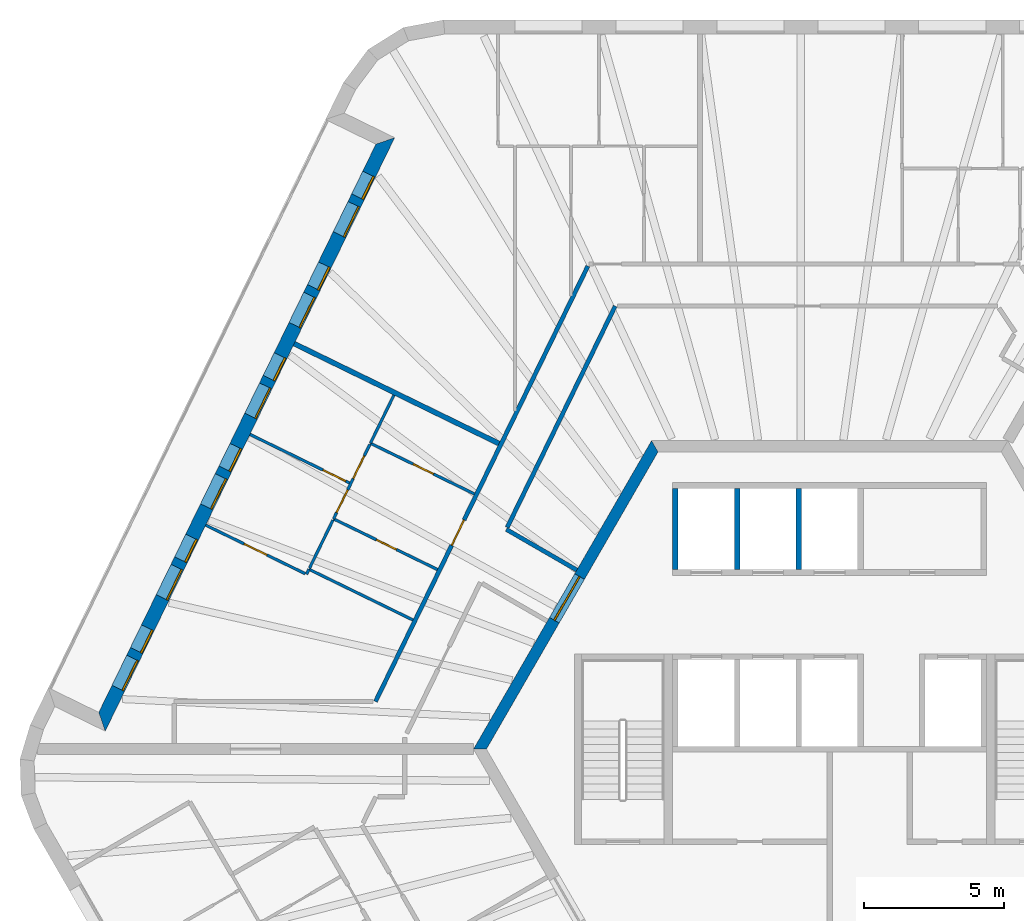
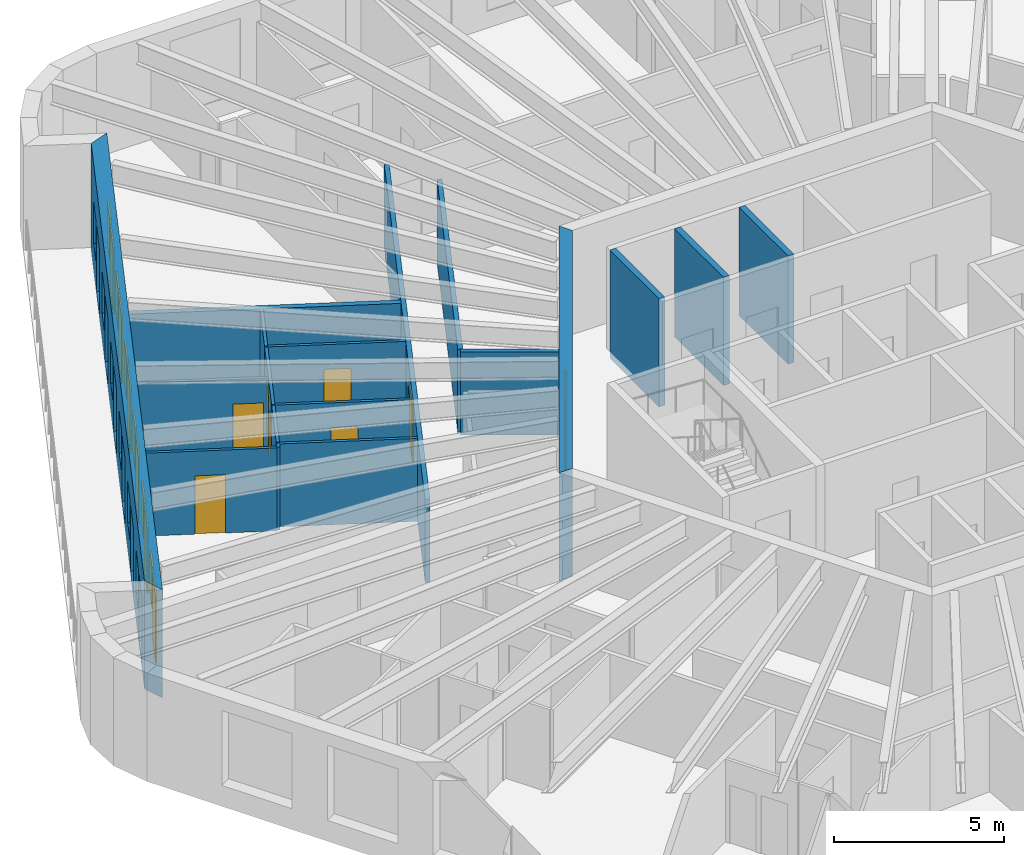
# One storey, part 8 of 12: 18 walls, 14 doors, 6 windows, 20 openings.
"""IFC4 building model written with IfcOpenShell, lengths in metres."""

from ifc_helpers import new_model, si_unit, direction, frame, frame_2d, origin, place, context, subcontext, project, spatial, polyline, rectangle, outline, extrude, material, layer, layer_set, type_object, element, fill, save


model = new_model("IFC4")

# Units and contexts
model_context = context("Model", 3, precision=1e-05, world=origin(), true_north=direction((0.0, 1.0)))
body_context = subcontext(model_context, "Body", "Model", "MODEL_VIEW")
ifc_project = project(units=[si_unit("LENGTHUNIT", "METRE"), si_unit("AREAUNIT", "SQUARE_METRE"), si_unit("VOLUMEUNIT", "CUBIC_METRE"), si_unit("PLANEANGLEUNIT", "RADIAN"), si_unit("MASSUNIT", "GRAM", prefix="KILO")], contexts=[model_context])

# Site, building, storey
site_placement = place(None, origin())
site = spatial("IfcSite", under=ifc_project, at=site_placement, CompositionType="ELEMENT")
building_placement = place(site_placement, origin())
building = spatial("IfcBuilding", under=site, at=building_placement, Name="Tarnside Tower", CompositionType="ELEMENT")
storey_placement = place(building_placement, frame((0.0, 0.0, 287.39990234375)))
storey = spatial("IfcBuildingStorey", under=building, at=storey_placement, Name="L69", CompositionType="ELEMENT", Elevation=287.39990234375)

# Wall
ifc_material_1 = material(Name="Gypsum board partition on steel studs", Category="steel")
ifc_layer_1 = layer(ifc_material_1, 0.10009765625)
ifc_layer_set_1 = layer_set([ifc_layer_1], Name="Bathroom wall 100")
wall_type_1 = type_object("IfcWallType", Name="Bathroom wall 100", PredefinedType="PARTITIONING", material=ifc_layer_set_1)
wall_1_placement = place(storey_placement, frame((-14.860107421875, 4.60498046875, 0.0), z_axis=(0.0, 0.0, 1.0), x_axis=(-0.898787215731, 0.438385151252, 0.0)))
element("IfcWall", 1, at=wall_1_placement, inside=storey, type_object=wall_type_1, Name="Bathroom wall 22109", PredefinedType="PARTITIONING", context=body_context, shape_type="SweptSolid", body=[
    extrude(rectangle(XDim=4.125, YDim=0.10009765625, at=frame_2d((2.0625, 0.0))), origin(), (0.0, 0.0, 1.0), 2.98779296875),
])

# Wall, opening, door
wall_2_placement = place(storey_placement, frame((-12.66845703125, 9.09912109375, 0.0), z_axis=(0.0, 0.0, 1.0), x_axis=(-0.898810534939, 0.438337338454, 0.0)))
wall_2 = element("IfcWall", 2, at=wall_2_placement, inside=storey, type_object=wall_type_1, Name="Bathroom wall 22110", PredefinedType="PARTITIONING", context=body_context, shape_type="SweptSolid", body=[
    extrude(rectangle(XDim=4.125, YDim=0.10009765625, at=frame_2d((2.0625, 0.0))), origin(), (0.0, 0.0, 1.0), 2.98779296875),
])
opening_1_placement = place(wall_2_placement, frame((1.625, 0.0, 0.0)))
opening_1 = element("IfcOpeningElement", 3, at=opening_1_placement, cuts=wall_2, Name="Opening D-B1", PredefinedType="OPENING", context=body_context, shape_type="SweptSolid", body=[
    extrude(rectangle(XDim=0.800048828125, YDim=2.10009765625, at=frame_2d((0.39990234375, 1.050048828125))), frame((0.0, 0.06005859375, 0.0), z_axis=(0.0, -1.0, 0.0), x_axis=(1.0, 0.0, 0.0)), (0.0, 0.0, 1.0), 0.1201171875),
])
ifc_material_2 = material(Name="Timber door leaf", Category="wood")
door_type_1 = type_object("IfcDoorType", Name="Bathroom door 800", OperationType="NOTDEFINED", PredefinedType="DOOR", material=ifc_material_2)
door_1_placement = place(opening_1_placement, origin())
door_1 = element("IfcDoor", 4, at=door_1_placement, inside=storey, type_object=door_type_1, Name="Bathroom door 22022", OperationType="SINGLE_SWING_RIGHT", OverallHeight=2.10009765625, OverallWidth=0.800048828125, PredefinedType="DOOR", context=body_context, shape_type="SweptSolid", body=[
    extrude(rectangle(XDim=0.800048828125, YDim=2.10009765625, at=frame_2d((0.39990234375, 1.050048828125))), frame((0.0, 0.02490234375, 0.0), z_axis=(0.0, -1.0, 0.0), x_axis=(1.0, 0.0, 0.0)), (0.0, 0.0, 1.0), 0.050048828125),
])
fill(opening_1, door_1)

wall_3_placement = place(storey_placement, frame((-17.69091796875, 8.2109375, 0.0), z_axis=(0.0, 0.0, 1.0), x_axis=(0.898787215731, -0.438385151252, 0.0)))
wall_3 = element("IfcWall", 5, at=wall_3_placement, inside=storey, type_object=wall_type_1, Name="Bathroom wall 22113", PredefinedType="PARTITIONING", context=body_context, shape_type="SweptSolid", body=[
    extrude(rectangle(XDim=4.125, YDim=0.10009765625, at=frame_2d((2.0625, 0.0))), origin(), (0.0, 0.0, 1.0), 2.98779296875),
])
opening_2_placement = place(wall_3_placement, frame((1.699951171875, 0.0, 0.0)))
opening_2 = element("IfcOpeningElement", 6, at=opening_2_placement, cuts=wall_3, Name="Opening D-B1", PredefinedType="OPENING", context=body_context, shape_type="SweptSolid", body=[
    extrude(rectangle(XDim=0.800048828125, YDim=2.10009765625, at=frame_2d((0.39990234375, 1.050048828125))), frame((0.0, 0.06005859375, 0.0), z_axis=(0.0, -1.0, 0.0), x_axis=(1.0, 0.0, 0.0)), (0.0, 0.0, 1.0), 0.1201171875),
])
door_2_placement = place(opening_2_placement, origin())
door_2 = element("IfcDoor", 7, at=door_2_placement, inside=storey, type_object=door_type_1, Name="Bathroom door 22029", OperationType="SINGLE_SWING_LEFT", OverallHeight=2.10009765625, OverallWidth=0.800048828125, PredefinedType="DOOR", context=body_context, shape_type="SweptSolid", body=[
    extrude(rectangle(XDim=0.800048828125, YDim=2.10009765625, at=frame_2d((0.39990234375, 1.050048828125))), frame((0.0, 0.02490234375, 0.0), z_axis=(0.0, -1.0, 0.0), x_axis=(1.0, 0.0, 0.0)), (0.0, 0.0, 1.0), 0.050048828125),
])
fill(opening_2, door_2)

# Walls
wall_4_placement = place(storey_placement, frame((-15.53857421875, 12.6240234375, 0.0), z_axis=(0.0, 0.0, 1.0), x_axis=(-0.438355705964, -0.898801577128, 0.0)))
element("IfcWall", 8, at=wall_4_placement, inside=storey, type_object=wall_type_1, Name="Bathroom wall 22114", PredefinedType="PARTITIONING", context=body_context, shape_type="SweptSolid", body=[
    extrude(rectangle(XDim=1.912109375, YDim=0.10009765625, at=frame_2d((0.9560546875, 0.0))), origin(), (0.0, 0.0, 1.0), 2.98779296875),
])
wall_5_placement = place(storey_placement, frame((-18.5458984375, 6.458251953125, 0.0), z_axis=(0.0, 0.0, 1.0), x_axis=(0.43840337997, 0.898778324411, 0.0)))
element("IfcWall", 9, at=wall_5_placement, inside=storey, type_object=wall_type_1, Name="Bathroom wall 22116", PredefinedType="PARTITIONING", context=body_context, shape_type="SweptSolid", body=[
    extrude(rectangle(XDim=1.900146484375, YDim=0.10009765625, at=frame_2d((0.9501953125, 0.0))), origin(), (0.0, 0.0, 1.0), 2.98779296875),
])

# Wall, opening, door
ifc_material_3 = material(Name="Concrete C60/75", Category="concrete")
ifc_layer_2 = layer(ifc_material_3, 0.39990234375)
ifc_layer_set_2 = layer_set([ifc_layer_2], Name="Core wall Z3 400 C60/75")
wall_type_2 = type_object("IfcWallType", Name="Core wall Z3 400 C60/75", PredefinedType="SHEAR", material=ifc_layer_set_2)
wall_6_placement = place(storey_placement, frame((-6.2353515625, 10.800048828125, -0.14990234375), z_axis=(0.0, 0.0, 1.0), x_axis=(-0.499996419489, -0.866027470984, 0.0)))
wall_6 = element("IfcWall", 10, at=wall_6_placement, inside=storey, type_object=wall_type_2, Name="L69 core wall face 2", PredefinedType="SHEAR", context=body_context, shape_type="SweptSolid", body=[
    extrude(outline(polyline([(-0.115478515625, -0.199951171875), (12.586181640625, -0.199951171875), (12.355224609375, 0.199951171875), (0.115478515625, 0.199951171875), (-0.115478515625, -0.199951171875)])), origin(), (0.0, 0.0, 1.0), 3.89990234375),
])
opening_3_placement = place(wall_6_placement, frame((5.3642578125, 0.0, 0.14990234375)))
opening_3 = element("IfcOpeningElement", 11, at=opening_3_placement, cuts=wall_6, Name="Opening CD-LOB", PredefinedType="OPENING", context=body_context, shape_type="SweptSolid", body=[
    extrude(rectangle(XDim=1.800048828125, YDim=2.39990234375, at=frame_2d((0.89990234375, 1.199951171875))), frame((0.0, 0.2099609375, 0.0), z_axis=(0.0, -1.0, 0.0), x_axis=(1.0, 0.0, 0.0)), (0.0, 0.0, 1.0), 0.419921875),
])
ifc_material_4 = material(Name="Steel fire door", Category="steel")
door_type_2 = type_object("IfcDoorType", Name="Lobby double door FD30S 1800x2400", OperationType="NOTDEFINED", PredefinedType="DOOR", material=ifc_material_4)
door_3_placement = place(opening_3_placement, origin())
door_3 = element("IfcDoor", 12, at=door_3_placement, inside=storey, type_object=door_type_2, Name="L69 core door P1", OperationType="DOUBLE_DOOR_SINGLE_SWING", OverallHeight=2.39990234375, OverallWidth=1.800048828125, PredefinedType="DOOR", context=body_context, shape_type="SweptSolid", body=[
    extrude(rectangle(XDim=1.800048828125, YDim=2.39990234375, at=frame_2d((0.89990234375, 1.199951171875))), frame((0.0, 0.02490234375, 0.0), z_axis=(0.0, -1.0, 0.0), x_axis=(1.0, 0.0, 0.0)), (0.0, 0.0, 1.0), 0.050048828125),
])
fill(opening_3, door_3)

ifc_layer_3 = layer(ifc_material_1, 0.14990234375)
ifc_layer_set_3 = layer_set([ifc_layer_3], Name="Corridor wall 150 EI 60")
wall_type_3 = type_object("IfcWallType", Name="Corridor wall 150 EI 60", PredefinedType="PARTITIONING", material=ifc_layer_set_3)
wall_7_placement = place(storey_placement, frame((-8.62158203125, 17.22509765625, 0.0), z_axis=(0.0, 0.0, 1.0), x_axis=(-0.438366544921, -0.898796290765, 0.0)))
wall_7 = element("IfcWall", 13, at=wall_7_placement, inside=storey, type_object=wall_type_3, Name="Corridor wall 22009", PredefinedType="PARTITIONING", context=body_context, shape_type="SweptSolid", body=[
    extrude(rectangle(XDim=17.273193359375, YDim=0.14990234375, at=frame_2d((8.63671875, 0.0))), origin(), (0.0, 0.0, 1.0), 2.98779296875),
])
opening_4_placement = place(wall_7_placement, frame((10.07763671875, 0.0, 0.0)))
opening_4 = element("IfcOpeningElement", 14, at=opening_4_placement, cuts=wall_7, Name="Opening D-E1", PredefinedType="OPENING", context=body_context, shape_type="SweptSolid", body=[
    extrude(rectangle(XDim=1.0, YDim=2.10009765625, at=frame_2d((0.5, 1.050048828125))), frame((0.0, 0.0849609375, 0.0), z_axis=(0.0, -1.0, 0.0), x_axis=(1.0, 0.0, 0.0)), (0.0, 0.0, 1.0), 0.169921875),
])
door_type_3 = type_object("IfcDoorType", Name="Unit entrance door 1000 FD30S", OperationType="NOTDEFINED", PredefinedType="DOOR", material=ifc_material_2)
door_4_placement = place(opening_4_placement, origin())
door_4 = element("IfcDoor", 15, at=door_4_placement, inside=storey, type_object=door_type_3, Name="Unit door 22021", OperationType="SINGLE_SWING_LEFT", OverallHeight=2.10009765625, OverallWidth=1.0, PredefinedType="DOOR", context=body_context, shape_type="SweptSolid", body=[
    extrude(rectangle(XDim=1.0, YDim=2.10009765625, at=frame_2d((0.5, 1.050048828125))), frame((0.0, 0.02490234375, 0.0), z_axis=(0.0, -1.0, 0.0), x_axis=(1.0, 0.0, 0.0)), (0.0, 0.0, 1.0), 0.050048828125),
])
fill(opening_4, door_4)

# Walls
wall_8_placement = place(storey_placement, frame((-9.015625, 6.38427734375, 0.0), z_axis=(0.0, 0.0, 1.0), x_axis=(-0.866010648346, 0.500025556299, 0.0)))
element("IfcWall", 16, at=wall_8_placement, inside=storey, type_object=wall_type_3, Name="Corridor wall 22020", PredefinedType="PARTITIONING", context=body_context, shape_type="SweptSolid", body=[
    extrude(rectangle(XDim=2.905029296875, YDim=0.14990234375, at=frame_2d((1.45263671875, 0.0))), origin(), (0.0, 0.0, 1.0), 2.98779296875),
])
wall_9_placement = place(storey_placement, frame((-11.49853515625, 7.904541015625, 0.0), z_axis=(0.0, 0.0, 1.0), x_axis=(0.438365041944, 0.898797023805, 0.0)))
element("IfcWall", 17, at=wall_9_placement, inside=storey, type_object=wall_type_3, Name="Corridor wall 22021", PredefinedType="PARTITIONING", context=body_context, shape_type="SweptSolid", body=[
    extrude(rectangle(XDim=8.784423828125, YDim=0.14990234375, at=frame_2d((4.39208984375, 0.0))), origin(), (0.0, 0.0, 1.0), 2.98779296875),
])
ifc_layer_4 = layer(ifc_material_1, 0.179931640625)
ifc_layer_set_4 = layer_set([ifc_layer_4], Name="Demising wall 180 EI 60")
wall_type_4 = type_object("IfcWallType", Name="Demising wall 180 EI 60", PredefinedType="PARTITIONING", material=ifc_layer_set_4)
wall_10_placement = place(storey_placement, frame((-19.09423828125, 14.45849609375, 0.0), z_axis=(0.0, 0.0, 1.0), x_axis=(0.898794723364, -0.438369758597, 0.0)))
element("IfcWall", 18, at=wall_10_placement, inside=storey, type_object=wall_type_4, Name="Demising wall 22098", PredefinedType="PARTITIONING", context=body_context, shape_type="SweptSolid", body=[
    extrude(rectangle(XDim=8.125, YDim=0.179931640625, at=frame_2d((4.0625, 0.0))), origin(), (0.0, 0.0, 1.0), 2.98779296875),
])
ifc_material_5 = material(Name="Concrete C40/50", Category="concrete")
ifc_layer_5 = layer(ifc_material_5, 0.199951171875)
ifc_layer_set_5 = layer_set([ifc_layer_5], Name="Lift shaft wall 200 C40/50")
wall_type_5 = type_object("IfcWallType", Name="Lift shaft wall 200 C40/50", PredefinedType="SHEAR", material=ifc_layer_set_5)
for number, where, z_axis, x_axis, name in (
    (19, (-5.5, 6.39990234375, -0.25), (0.0, 0.0, 1.0), (0.0, 1.0, 0.0), "L69 lift shaft partition R11"),
    (20, (-3.300048828125, 6.39990234375, -0.25), (0.0, 0.0, 1.0), (0.0, 1.0, 0.0), "L69 lift shaft partition R12"),
    (21, (-1.10009765625, 6.39990234375, -0.25), (0.0, 0.0, 1.0), (0.0, 1.0, 0.0), "L69 lift shaft partition R13"),
):
    element("IfcWall", number, at=place(storey_placement, frame(where, z_axis=z_axis, x_axis=x_axis)), inside=storey, type_object=wall_type_5, Name=name, PredefinedType="SHEAR", context=body_context, shape_type="SweptSolid", body=[
        extrude(rectangle(XDim=2.900146484375, YDim=0.199951171875, at=frame_2d((1.4501953125, 0.0))), origin(), (0.0, 0.0, 1.0), 3.900146484375),
    ])

# Wall, openings, doors, windows
ifc_material_6 = material(Name="Dark zinc cladding")
ifc_layer_6 = layer(ifc_material_6, 0.10205078125)
ifc_material_7 = material(Name="Concrete C60/75 precast", Category="concrete")
ifc_layer_7 = layer(ifc_material_7, 0.298095703125)
ifc_material_8 = material(Name="Mineral wool insulation")
ifc_layer_8 = layer(ifc_material_8, 0.10009765625)
ifc_layer_set_6 = layer_set([ifc_layer_6, ifc_layer_7, ifc_layer_8], Name="Loggia wall 500 zinc faced")
wall_type_6 = type_object("IfcWallType", Name="Loggia wall 500 zinc faced", PredefinedType="SOLIDWALL", material=ifc_layer_set_6)
wall_11_placement = place(storey_placement, frame((-15.845947265625, 21.6884765625, -0.14990234375), z_axis=(0.0, 0.0, 1.0), x_axis=(-0.438377502627, -0.898790946322, 0.0)))
wall_11 = element("IfcWall", 22, at=wall_11_placement, inside=storey, type_object=wall_type_6, Name="Tube wall L69 F2 back 06", PredefinedType="SOLIDWALL", context=body_context, shape_type="SweptSolid", body=[
    extrude(outline(polyline([(0.25, -0.25), (22.794677734375, -0.25), (23.294677734375, 0.25), (-0.25, 0.25), (0.25, -0.25)])), origin(), (0.0, 0.0, 1.0), 3.89990234375),
])
opening_5_placement = place(wall_11_placement, frame((1.322509765625, 0.0, 1.050048828125)))
opening_5 = element("IfcOpeningElement", 23, at=opening_5_placement, cuts=wall_11, Name="Opening WL500", PredefinedType="OPENING", context=body_context, shape_type="SweptSolid", body=[
    extrude(rectangle(XDim=0.89990234375, YDim=1.5, at=frame_2d((0.449951171875, 0.75))), frame((0.0, 0.260009765625, 0.0), z_axis=(0.0, -1.0, 0.0), x_axis=(1.0, 0.0, 0.0)), (0.0, 0.0, 1.0), 0.52001953125),
])
opening_6_placement = place(wall_11_placement, frame((2.5224609375, 0.0, 0.14990234375)))
opening_6 = element("IfcOpeningElement", 24, at=opening_6_placement, cuts=wall_11, Name="Opening DB500", PredefinedType="OPENING", context=body_context, shape_type="SweptSolid", body=[
    extrude(rectangle(XDim=1.199951171875, YDim=2.39990234375, at=frame_2d((0.60009765625, 1.199951171875))), frame((0.0, 0.260009765625, 0.0), z_axis=(0.0, -1.0, 0.0), x_axis=(1.0, 0.0, 0.0)), (0.0, 0.0, 1.0), 0.52001953125),
])
opening_7_placement = place(wall_11_placement, frame((4.92236328125, 0.0, 1.050048828125)))
opening_7 = element("IfcOpeningElement", 25, at=opening_7_placement, cuts=wall_11, Name="Opening WL500", PredefinedType="OPENING", context=body_context, shape_type="SweptSolid", body=[
    extrude(rectangle(XDim=0.89990234375, YDim=1.5, at=frame_2d((0.449951171875, 0.75))), frame((0.0, 0.260009765625, 0.0), z_axis=(0.0, -1.0, 0.0), x_axis=(1.0, 0.0, 0.0)), (0.0, 0.0, 1.0), 0.52001953125),
])
opening_8_placement = place(wall_11_placement, frame((6.122314453125, 0.0, 0.14990234375)))
opening_8 = element("IfcOpeningElement", 26, at=opening_8_placement, cuts=wall_11, Name="Opening DB500", PredefinedType="OPENING", context=body_context, shape_type="SweptSolid", body=[
    extrude(rectangle(XDim=1.199951171875, YDim=2.39990234375, at=frame_2d((0.60009765625, 1.199951171875))), frame((0.0, 0.260009765625, 0.0), z_axis=(0.0, -1.0, 0.0), x_axis=(1.0, 0.0, 0.0)), (0.0, 0.0, 1.0), 0.52001953125),
])
opening_9_placement = place(wall_11_placement, frame((8.5224609375, 0.0, 1.050048828125)))
opening_9 = element("IfcOpeningElement", 27, at=opening_9_placement, cuts=wall_11, Name="Opening WL500", PredefinedType="OPENING", context=body_context, shape_type="SweptSolid", body=[
    extrude(rectangle(XDim=0.89990234375, YDim=1.5, at=frame_2d((0.449951171875, 0.75))), frame((0.0, 0.260009765625, 0.0), z_axis=(0.0, -1.0, 0.0), x_axis=(1.0, 0.0, 0.0)), (0.0, 0.0, 1.0), 0.52001953125),
])
opening_10_placement = place(wall_11_placement, frame((9.722412109375, 0.0, 0.14990234375)))
opening_10 = element("IfcOpeningElement", 28, at=opening_10_placement, cuts=wall_11, Name="Opening DB500", PredefinedType="OPENING", context=body_context, shape_type="SweptSolid", body=[
    extrude(rectangle(XDim=1.199951171875, YDim=2.39990234375, at=frame_2d((0.60009765625, 1.199951171875))), frame((0.0, 0.260009765625, 0.0), z_axis=(0.0, -1.0, 0.0), x_axis=(1.0, 0.0, 0.0)), (0.0, 0.0, 1.0), 0.52001953125),
])
opening_11_placement = place(wall_11_placement, frame((12.122314453125, 0.0, 1.050048828125)))
opening_11 = element("IfcOpeningElement", 29, at=opening_11_placement, cuts=wall_11, Name="Opening WL500", PredefinedType="OPENING", context=body_context, shape_type="SweptSolid", body=[
    extrude(rectangle(XDim=0.89990234375, YDim=1.5, at=frame_2d((0.449951171875, 0.75))), frame((0.0, 0.260009765625, 0.0), z_axis=(0.0, -1.0, 0.0), x_axis=(1.0, 0.0, 0.0)), (0.0, 0.0, 1.0), 0.52001953125),
])
opening_12_placement = place(wall_11_placement, frame((13.322509765625, 0.0, 0.14990234375)))
opening_12 = element("IfcOpeningElement", 30, at=opening_12_placement, cuts=wall_11, Name="Opening DB500", PredefinedType="OPENING", context=body_context, shape_type="SweptSolid", body=[
    extrude(rectangle(XDim=1.199951171875, YDim=2.39990234375, at=frame_2d((0.60009765625, 1.199951171875))), frame((0.0, 0.260009765625, 0.0), z_axis=(0.0, -1.0, 0.0), x_axis=(1.0, 0.0, 0.0)), (0.0, 0.0, 1.0), 0.52001953125),
])
opening_13_placement = place(wall_11_placement, frame((15.722412109375, 0.0, 1.050048828125)))
opening_13 = element("IfcOpeningElement", 31, at=opening_13_placement, cuts=wall_11, Name="Opening WL500", PredefinedType="OPENING", context=body_context, shape_type="SweptSolid", body=[
    extrude(rectangle(XDim=0.89990234375, YDim=1.5, at=frame_2d((0.449951171875, 0.75))), frame((0.0, 0.260009765625, 0.0), z_axis=(0.0, -1.0, 0.0), x_axis=(1.0, 0.0, 0.0)), (0.0, 0.0, 1.0), 0.52001953125),
])
opening_14_placement = place(wall_11_placement, frame((16.92236328125, 0.0, 0.14990234375)))
opening_14 = element("IfcOpeningElement", 32, at=opening_14_placement, cuts=wall_11, Name="Opening DB500", PredefinedType="OPENING", context=body_context, shape_type="SweptSolid", body=[
    extrude(rectangle(XDim=1.199951171875, YDim=2.39990234375, at=frame_2d((0.60009765625, 1.199951171875))), frame((0.0, 0.260009765625, 0.0), z_axis=(0.0, -1.0, 0.0), x_axis=(1.0, 0.0, 0.0)), (0.0, 0.0, 1.0), 0.52001953125),
])
opening_15_placement = place(wall_11_placement, frame((19.322509765625, 0.0, 1.050048828125)))
opening_15 = element("IfcOpeningElement", 33, at=opening_15_placement, cuts=wall_11, Name="Opening WL500", PredefinedType="OPENING", context=body_context, shape_type="SweptSolid", body=[
    extrude(rectangle(XDim=0.89990234375, YDim=1.5, at=frame_2d((0.449951171875, 0.75))), frame((0.0, 0.260009765625, 0.0), z_axis=(0.0, -1.0, 0.0), x_axis=(1.0, 0.0, 0.0)), (0.0, 0.0, 1.0), 0.52001953125),
])
opening_16_placement = place(wall_11_placement, frame((20.5224609375, 0.0, 0.14990234375)))
opening_16 = element("IfcOpeningElement", 34, at=opening_16_placement, cuts=wall_11, Name="Opening DB500", PredefinedType="OPENING", context=body_context, shape_type="SweptSolid", body=[
    extrude(rectangle(XDim=1.199951171875, YDim=2.39990234375, at=frame_2d((0.60009765625, 1.199951171875))), frame((0.0, 0.260009765625, 0.0), z_axis=(0.0, -1.0, 0.0), x_axis=(1.0, 0.0, 0.0)), (0.0, 0.0, 1.0), 0.52001953125),
])
ifc_material_9 = material(Name="Aluminium-framed double glazing", Category="aluminium")
door_type_4 = type_object("IfcDoorType", Name="Balcony sliding door 1200 x 2400 in 500 wall", OperationType="SLIDING_TO_LEFT", PredefinedType="DOOR", material=ifc_material_9)
door_5_placement = place(opening_6_placement, frame((0.0, 0.1748046875, 0.0)))
door_5 = element("IfcDoor", 35, at=door_5_placement, inside=storey, type_object=door_type_4, Name="E.BD.L69.F2.00", OperationType="SLIDING_TO_LEFT", OverallHeight=2.39990234375, OverallWidth=1.199951171875, PredefinedType="DOOR", context=body_context, shape_type="SweptSolid", body=[
    extrude(rectangle(XDim=1.199951171875, YDim=2.39990234375, at=frame_2d((0.60009765625, 1.199951171875))), frame((0.0, 0.02490234375, 0.0), z_axis=(0.0, -1.0, 0.0), x_axis=(1.0, 0.0, 0.0)), (0.0, 0.0, 1.0), 0.050048828125),
])
fill(opening_6, door_5)
door_6_placement = place(opening_8_placement, frame((0.0, 0.1748046875, 0.0)))
door_6 = element("IfcDoor", 36, at=door_6_placement, inside=storey, type_object=door_type_4, Name="E.BD.L69.F2.01", OperationType="SLIDING_TO_LEFT", OverallHeight=2.39990234375, OverallWidth=1.199951171875, PredefinedType="DOOR", context=body_context, shape_type="SweptSolid", body=[
    extrude(rectangle(XDim=1.199951171875, YDim=2.39990234375, at=frame_2d((0.60009765625, 1.199951171875))), frame((0.0, 0.02490234375, 0.0), z_axis=(0.0, -1.0, 0.0), x_axis=(1.0, 0.0, 0.0)), (0.0, 0.0, 1.0), 0.050048828125),
])
fill(opening_8, door_6)
door_7_placement = place(opening_10_placement, frame((0.0, 0.1748046875, 0.0)))
door_7 = element("IfcDoor", 37, at=door_7_placement, inside=storey, type_object=door_type_4, Name="E.BD.L69.F2.02", OperationType="SLIDING_TO_LEFT", OverallHeight=2.39990234375, OverallWidth=1.199951171875, PredefinedType="DOOR", context=body_context, shape_type="SweptSolid", body=[
    extrude(rectangle(XDim=1.199951171875, YDim=2.39990234375, at=frame_2d((0.60009765625, 1.199951171875))), frame((0.0, 0.02490234375, 0.0), z_axis=(0.0, -1.0, 0.0), x_axis=(1.0, 0.0, 0.0)), (0.0, 0.0, 1.0), 0.050048828125),
])
fill(opening_10, door_7)
door_8_placement = place(opening_12_placement, frame((0.0, 0.1748046875, 0.0)))
door_8 = element("IfcDoor", 38, at=door_8_placement, inside=storey, type_object=door_type_4, Name="E.BD.L69.F2.03", OperationType="SLIDING_TO_LEFT", OverallHeight=2.39990234375, OverallWidth=1.199951171875, PredefinedType="DOOR", context=body_context, shape_type="SweptSolid", body=[
    extrude(rectangle(XDim=1.199951171875, YDim=2.39990234375, at=frame_2d((0.60009765625, 1.199951171875))), frame((0.0, 0.02490234375, 0.0), z_axis=(0.0, -1.0, 0.0), x_axis=(1.0, 0.0, 0.0)), (0.0, 0.0, 1.0), 0.050048828125),
])
fill(opening_12, door_8)
door_9_placement = place(opening_14_placement, frame((0.0, 0.1748046875, 0.0)))
door_9 = element("IfcDoor", 39, at=door_9_placement, inside=storey, type_object=door_type_4, Name="E.BD.L69.F2.04", OperationType="SLIDING_TO_LEFT", OverallHeight=2.39990234375, OverallWidth=1.199951171875, PredefinedType="DOOR", context=body_context, shape_type="SweptSolid", body=[
    extrude(rectangle(XDim=1.199951171875, YDim=2.39990234375, at=frame_2d((0.60009765625, 1.199951171875))), frame((0.0, 0.02490234375, 0.0), z_axis=(0.0, -1.0, 0.0), x_axis=(1.0, 0.0, 0.0)), (0.0, 0.0, 1.0), 0.050048828125),
])
fill(opening_14, door_9)
door_10_placement = place(opening_16_placement, frame((0.0, 0.1748046875, 0.0)))
door_10 = element("IfcDoor", 40, at=door_10_placement, inside=storey, type_object=door_type_4, Name="E.BD.L69.F2.05", OperationType="SLIDING_TO_LEFT", OverallHeight=2.39990234375, OverallWidth=1.199951171875, PredefinedType="DOOR", context=body_context, shape_type="SweptSolid", body=[
    extrude(rectangle(XDim=1.199951171875, YDim=2.39990234375, at=frame_2d((0.60009765625, 1.199951171875))), frame((0.0, 0.02490234375, 0.0), z_axis=(0.0, -1.0, 0.0), x_axis=(1.0, 0.0, 0.0)), (0.0, 0.0, 1.0), 0.050048828125),
])
fill(opening_16, door_10)
window_type = type_object("IfcWindowType", Name="Loggia window 900 x 1500 in 500 wall", PartitioningType="SINGLE_PANEL", PredefinedType="WINDOW", material=ifc_material_9)
window_1_placement = place(opening_5_placement, frame((0.0, 0.179931640625, 0.0)))
window_1 = element("IfcWindow", 41, at=window_1_placement, inside=storey, type_object=window_type, Name="E.LW.L69.F2.00", OverallHeight=1.5, OverallWidth=0.89990234375, PartitioningType="SINGLE_PANEL", PredefinedType="WINDOW", context=body_context, shape_type="SweptSolid", body=[
    extrude(rectangle(XDim=0.89990234375, YDim=1.5, at=frame_2d((0.449951171875, 0.75))), frame((0.0, 0.030029296875, 0.0), z_axis=(0.0, -1.0, 0.0), x_axis=(1.0, 0.0, 0.0)), (0.0, 0.0, 1.0), 0.06005859375),
])
fill(opening_5, window_1)
window_2_placement = place(opening_7_placement, frame((0.0, 0.179931640625, 0.0)))
window_2 = element("IfcWindow", 42, at=window_2_placement, inside=storey, type_object=window_type, Name="E.LW.L69.F2.01", OverallHeight=1.5, OverallWidth=0.89990234375, PartitioningType="SINGLE_PANEL", PredefinedType="WINDOW", context=body_context, shape_type="SweptSolid", body=[
    extrude(rectangle(XDim=0.89990234375, YDim=1.5, at=frame_2d((0.449951171875, 0.75))), frame((0.0, 0.030029296875, 0.0), z_axis=(0.0, -1.0, 0.0), x_axis=(1.0, 0.0, 0.0)), (0.0, 0.0, 1.0), 0.06005859375),
])
fill(opening_7, window_2)
window_3_placement = place(opening_9_placement, frame((0.0, 0.179931640625, 0.0)))
window_3 = element("IfcWindow", 43, at=window_3_placement, inside=storey, type_object=window_type, Name="E.LW.L69.F2.02", OverallHeight=1.5, OverallWidth=0.89990234375, PartitioningType="SINGLE_PANEL", PredefinedType="WINDOW", context=body_context, shape_type="SweptSolid", body=[
    extrude(rectangle(XDim=0.89990234375, YDim=1.5, at=frame_2d((0.449951171875, 0.75))), frame((0.0, 0.030029296875, 0.0), z_axis=(0.0, -1.0, 0.0), x_axis=(1.0, 0.0, 0.0)), (0.0, 0.0, 1.0), 0.06005859375),
])
fill(opening_9, window_3)
window_4_placement = place(opening_11_placement, frame((0.0, 0.179931640625, 0.0)))
window_4 = element("IfcWindow", 44, at=window_4_placement, inside=storey, type_object=window_type, Name="E.LW.L69.F2.03", OverallHeight=1.5, OverallWidth=0.89990234375, PartitioningType="SINGLE_PANEL", PredefinedType="WINDOW", context=body_context, shape_type="SweptSolid", body=[
    extrude(rectangle(XDim=0.89990234375, YDim=1.5, at=frame_2d((0.449951171875, 0.75))), frame((0.0, 0.030029296875, 0.0), z_axis=(0.0, -1.0, 0.0), x_axis=(1.0, 0.0, 0.0)), (0.0, 0.0, 1.0), 0.06005859375),
])
fill(opening_11, window_4)
window_5_placement = place(opening_13_placement, frame((0.0, 0.179931640625, 0.0)))
window_5 = element("IfcWindow", 45, at=window_5_placement, inside=storey, type_object=window_type, Name="E.LW.L69.F2.04", OverallHeight=1.5, OverallWidth=0.89990234375, PartitioningType="SINGLE_PANEL", PredefinedType="WINDOW", context=body_context, shape_type="SweptSolid", body=[
    extrude(rectangle(XDim=0.89990234375, YDim=1.5, at=frame_2d((0.449951171875, 0.75))), frame((0.0, 0.030029296875, 0.0), z_axis=(0.0, -1.0, 0.0), x_axis=(1.0, 0.0, 0.0)), (0.0, 0.0, 1.0), 0.06005859375),
])
fill(opening_13, window_5)
window_6_placement = place(opening_15_placement, frame((0.0, 0.179931640625, 0.0)))
window_6 = element("IfcWindow", 46, at=window_6_placement, inside=storey, type_object=window_type, Name="E.LW.L69.F2.05", OverallHeight=1.5, OverallWidth=0.89990234375, PartitioningType="SINGLE_PANEL", PredefinedType="WINDOW", context=body_context, shape_type="SweptSolid", body=[
    extrude(rectangle(XDim=0.89990234375, YDim=1.5, at=frame_2d((0.449951171875, 0.75))), frame((0.0, 0.030029296875, 0.0), z_axis=(0.0, -1.0, 0.0), x_axis=(1.0, 0.0, 0.0)), (0.0, 0.0, 1.0), 0.06005859375),
])
fill(opening_15, window_6)

# Wall
ifc_layer_9 = layer(ifc_material_1, 0.10009765625)
ifc_layer_set_7 = layer_set([ifc_layer_9], Name="Partition 100")
wall_type_7 = type_object("IfcWallType", Name="Partition 100", PredefinedType="PARTITIONING", material=ifc_layer_set_7)
wall_12_placement = place(storey_placement, frame((-18.56689453125, 6.4150390625, 0.0), z_axis=(0.0, 0.0, 1.0), x_axis=(-0.438971536386, -0.898500968415, 0.0)))
element("IfcWall", 47, at=wall_12_placement, inside=storey, type_object=wall_type_7, Name="Partition wall 22107", PredefinedType="PARTITIONING", context=body_context, shape_type="SweptSolid", body=[
    extrude(rectangle(XDim=0.201904296875, YDim=0.10009765625, at=frame_2d((0.10107421875, 0.0))), origin(), (0.0, 0.0, 1.0), 2.98779296875),
])

# Wall, opening, door
wall_13_placement = place(storey_placement, frame((-18.700439453125, 6.255615234375, 0.0), z_axis=(0.0, 0.0, 1.0), x_axis=(-0.89879695829, 0.438365176273, 0.0)))
wall_13 = element("IfcWall", 48, at=wall_13_placement, inside=storey, type_object=wall_type_7, Name="Partition wall 22108", PredefinedType="PARTITIONING", context=body_context, shape_type="SweptSolid", body=[
    extrude(rectangle(XDim=3.94970703125, YDim=0.10009765625, at=frame_2d((1.974853515625, 0.0))), origin(), (0.0, 0.0, 1.0), 2.98779296875),
])
opening_17_placement = place(wall_13_placement, frame((1.52490234375, 0.0, 0.0)))
opening_17 = element("IfcOpeningElement", 49, at=opening_17_placement, cuts=wall_13, Name="Opening D-I1", PredefinedType="OPENING", context=body_context, shape_type="SweptSolid", body=[
    extrude(rectangle(XDim=0.89990234375, YDim=2.10009765625, at=frame_2d((0.449951171875, 1.050048828125))), frame((0.0, 0.06005859375, 0.0), z_axis=(0.0, -1.0, 0.0), x_axis=(1.0, 0.0, 0.0)), (0.0, 0.0, 1.0), 0.1201171875),
])
door_type_5 = type_object("IfcDoorType", Name="Internal door 900", OperationType="NOTDEFINED", PredefinedType="DOOR", material=ifc_material_2)
door_11_placement = place(opening_17_placement, origin())
door_11 = element("IfcDoor", 50, at=door_11_placement, inside=storey, type_object=door_type_5, Name="Internal door 22083", OperationType="SINGLE_SWING_RIGHT", OverallHeight=2.10009765625, OverallWidth=0.89990234375, PredefinedType="DOOR", context=body_context, shape_type="SweptSolid", body=[
    extrude(rectangle(XDim=0.89990234375, YDim=2.10009765625, at=frame_2d((0.449951171875, 1.050048828125))), frame((0.0, 0.02490234375, 0.0), z_axis=(0.0, -1.0, 0.0), x_axis=(1.0, 0.0, 0.0)), (0.0, 0.0, 1.0), 0.050048828125),
])
fill(opening_17, door_11)

# Wall, openings, doors
wall_14_placement = place(storey_placement, frame((-16.39697265625, 10.8642578125, 0.0), z_axis=(0.0, 0.0, 1.0), x_axis=(-0.438365010977, -0.898797038909, 0.0)))
wall_14 = element("IfcWall", 51, at=wall_14_placement, inside=storey, type_object=wall_type_7, Name="Partition wall 22111", PredefinedType="PARTITIONING", context=body_context, shape_type="SweptSolid", body=[
    extrude(rectangle(XDim=2.9541015625, YDim=0.10009765625, at=frame_2d((1.47705078125, 0.0))), origin(), (0.0, 0.0, 1.0), 2.98779296875),
])
opening_18_placement = place(wall_14_placement, frame((0.451904296875, 0.0, 0.0)))
opening_18 = element("IfcOpeningElement", 52, at=opening_18_placement, cuts=wall_14, Name="Opening D-I1", PredefinedType="OPENING", context=body_context, shape_type="SweptSolid", body=[
    extrude(rectangle(XDim=0.89990234375, YDim=2.10009765625, at=frame_2d((0.449951171875, 1.050048828125))), frame((0.0, 0.06005859375, 0.0), z_axis=(0.0, -1.0, 0.0), x_axis=(1.0, 0.0, 0.0)), (0.0, 0.0, 1.0), 0.1201171875),
])
opening_19_placement = place(wall_14_placement, frame((1.802001953125, 0.0, 0.0)))
opening_19 = element("IfcOpeningElement", 53, at=opening_19_placement, cuts=wall_14, Name="Opening D-I1", PredefinedType="OPENING", context=body_context, shape_type="SweptSolid", body=[
    extrude(rectangle(XDim=0.89990234375, YDim=2.10009765625, at=frame_2d((0.449951171875, 1.050048828125))), frame((0.0, 0.06005859375, 0.0), z_axis=(0.0, -1.0, 0.0), x_axis=(1.0, 0.0, 0.0)), (0.0, 0.0, 1.0), 0.1201171875),
])
door_12_placement = place(opening_18_placement, origin())
door_12 = element("IfcDoor", 54, at=door_12_placement, inside=storey, type_object=door_type_5, Name="Internal door 22024", OperationType="SINGLE_SWING_LEFT", OverallHeight=2.10009765625, OverallWidth=0.89990234375, PredefinedType="DOOR", context=body_context, shape_type="SweptSolid", body=[
    extrude(rectangle(XDim=0.89990234375, YDim=2.10009765625, at=frame_2d((0.449951171875, 1.050048828125))), frame((0.0, 0.02490234375, 0.0), z_axis=(0.0, -1.0, 0.0), x_axis=(1.0, 0.0, 0.0)), (0.0, 0.0, 1.0), 0.050048828125),
])
fill(opening_18, door_12)
door_13_placement = place(opening_19_placement, origin())
door_13 = element("IfcDoor", 55, at=door_13_placement, inside=storey, type_object=door_type_5, Name="Internal door 22028", OperationType="SINGLE_SWING_LEFT", OverallHeight=2.10009765625, OverallWidth=0.89990234375, PredefinedType="DOOR", context=body_context, shape_type="SweptSolid", body=[
    extrude(rectangle(XDim=0.89990234375, YDim=2.10009765625, at=frame_2d((0.449951171875, 1.050048828125))), frame((0.0, 0.02490234375, 0.0), z_axis=(0.0, -1.0, 0.0), x_axis=(1.0, 0.0, 0.0)), (0.0, 0.0, 1.0), 0.050048828125),
])
fill(opening_19, door_13)

# Wall, opening, door
wall_15_placement = place(storey_placement, frame((-20.67236328125, 11.22265625, 0.0), z_axis=(0.0, 0.0, 1.0), x_axis=(0.89879695829, -0.438365176273, 0.0)))
wall_15 = element("IfcWall", 56, at=wall_15_placement, inside=storey, type_object=wall_type_7, Name="Partition wall 22115", PredefinedType="PARTITIONING", context=body_context, shape_type="SweptSolid", body=[
    extrude(rectangle(XDim=3.94970703125, YDim=0.10009765625, at=frame_2d((1.974853515625, 0.0))), origin(), (0.0, 0.0, 1.0), 2.98779296875),
])
opening_20_placement = place(wall_15_placement, frame((2.89990234375, 0.0, 0.0)))
opening_20 = element("IfcOpeningElement", 57, at=opening_20_placement, cuts=wall_15, Name="Opening D-I1", PredefinedType="OPENING", context=body_context, shape_type="SweptSolid", body=[
    extrude(rectangle(XDim=0.89990234375, YDim=2.10009765625, at=frame_2d((0.449951171875, 1.050048828125))), frame((0.0, 0.06005859375, 0.0), z_axis=(0.0, -1.0, 0.0), x_axis=(1.0, 0.0, 0.0)), (0.0, 0.0, 1.0), 0.1201171875),
])
door_14_placement = place(opening_20_placement, origin())
door_14 = element("IfcDoor", 58, at=door_14_placement, inside=storey, type_object=door_type_5, Name="Internal door 22027", OperationType="SINGLE_SWING_RIGHT", OverallHeight=2.10009765625, OverallWidth=0.89990234375, PredefinedType="DOOR", context=body_context, shape_type="SweptSolid", body=[
    extrude(rectangle(XDim=0.89990234375, YDim=2.10009765625, at=frame_2d((0.449951171875, 1.050048828125))), frame((0.0, 0.02490234375, 0.0), z_axis=(0.0, -1.0, 0.0), x_axis=(1.0, 0.0, 0.0)), (0.0, 0.0, 1.0), 0.050048828125),
])
fill(opening_20, door_14)

save(model, "model.ifc")
